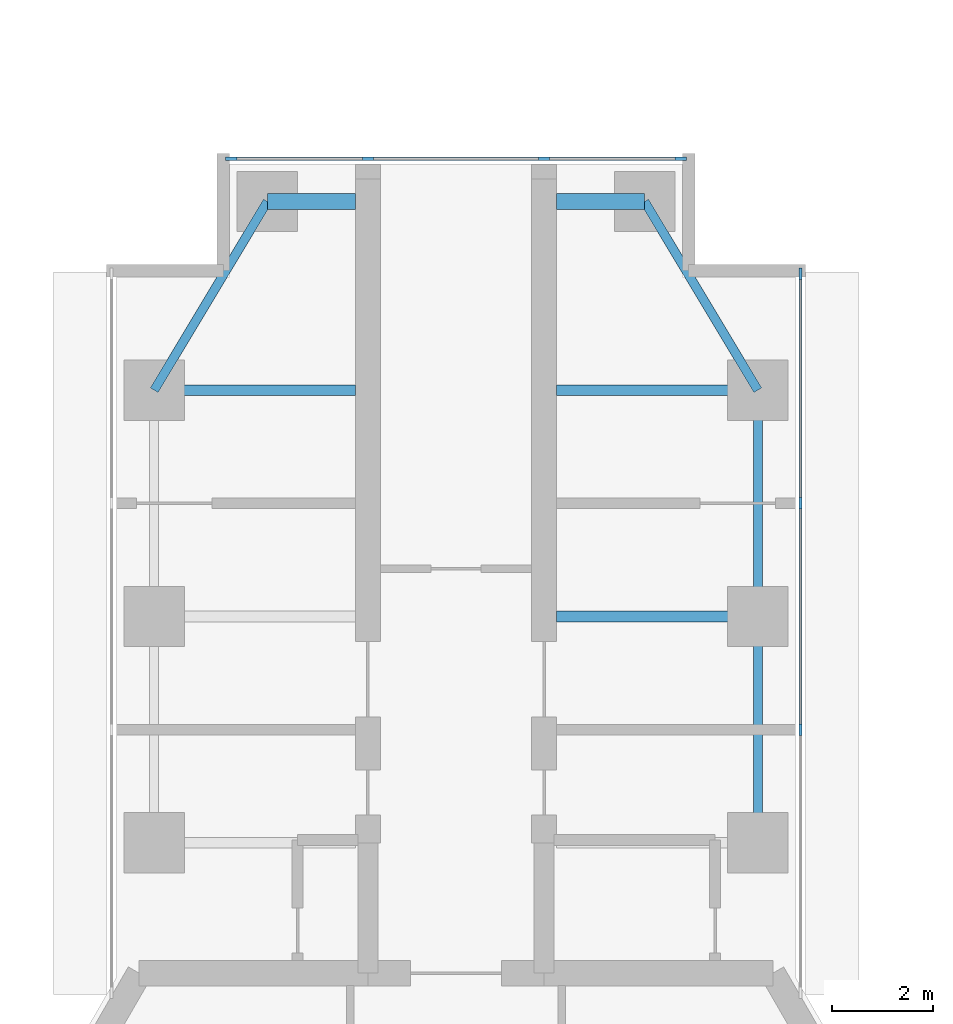
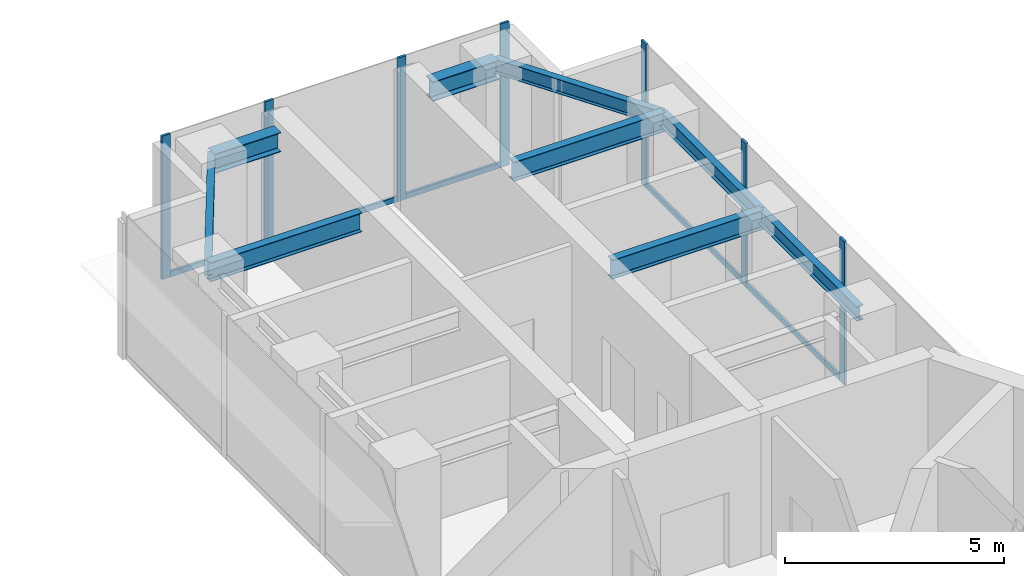
# One storey, part 9 of 17: 12 members, 9 beams, 2 elements without a shape of their own.
"""IFC4 building model written with IfcOpenShell, lengths in metres."""

import ifcopenshell
import ifcopenshell.guid

model = None  # the IFC model being written
_history = None  # IfcOwnerHistory: only IFC2X3 demands one
_inside = {}  # id of a spatial element -> (the spatial element, [elements in it])
_under = {}  # id of a project, library or spatial element -> (it, [spatial elements below it])
_declared = {}  # id of a project -> (the project, [libraries it declares])
_typed = {}  # id of a type object -> (the type object, [elements of that type])
_made_of = {}  # id of a material, layer set ... -> (it, [elements and type objects made of it])


def new_model(schema):
    """Start an empty IFC model of exactly this schema.

    Asked for "IFC4X3", IfcOpenShell would pick the latest addendum, in which some entities
    have other attributes; the version numbers below select the first issue.
    IFC2X3 requires an IfcOwnerHistory on every rooted entity: one is made here for all.
    """
    global model, _history
    if schema == "IFC4X3":
        model = ifcopenshell.file(schema_version=(4, 3, 0, 0))
    else:
        model = ifcopenshell.file(schema=schema)
    _inside.clear()
    _under.clear()
    _declared.clear()
    _typed.clear()
    _made_of.clear()
    _history = None
    if model.schema == "IFC2X3":
        org = make("IfcOrganization", Name="unknown")
        user = make(
            "IfcPersonAndOrganization",
            ThePerson=make("IfcPerson", FamilyName="unknown"),
            TheOrganization=org,
        )
        app = make(
            "IfcApplication",
            ApplicationDeveloper=org,
            Version="unknown",
            ApplicationFullName="unknown",
            ApplicationIdentifier="unknown",
        )
        _history = make(
            "IfcOwnerHistory",
            OwningUser=user,
            OwningApplication=app,
            ChangeAction="ADDED",
            CreationDate=0,
        )
    return model


def make(cls, **values):
    """One entity of the class cls with the attributes given. An attribute that is None is left unset."""
    return model.create_entity(
        cls, **{name: value for name, value in values.items() if value is not None}
    )


def rooted(cls, **values):
    """An entity with a GlobalId (a new one), such as an element, a storey or a relation."""
    return make(cls, GlobalId=ifcopenshell.guid.new(), OwnerHistory=_history, **values)


def si_unit(unit_type, name, prefix=None):
    """IfcSIUnit, for example si_unit("LENGTHUNIT", "METRE", prefix="MILLI")."""
    return make("IfcSIUnit", UnitType=unit_type, Prefix=prefix, Name=name)


def assignment(units):
    """IfcUnitAssignment: the units of a project."""
    return None if units is None else make("IfcUnitAssignment", Units=units)


def point(xyz):
    """IfcCartesianPoint."""
    return None if xyz is None else make("IfcCartesianPoint", Coordinates=xyz)


def direction(xyz):
    """IfcDirection."""
    return None if xyz is None else make("IfcDirection", DirectionRatios=xyz)


def frame(location, z_axis=None, x_axis=None):
    """IfcAxis2Placement3D, a coordinate frame: its origin and axes. An axis left out is left unset."""
    return make(
        "IfcAxis2Placement3D",
        Location=point(location),
        Axis=direction(z_axis),
        RefDirection=direction(x_axis),
    )


def frame_2d(location, x_axis=None):
    """IfcAxis2Placement2D, a coordinate frame in the plane: its origin and x axis."""
    return make(
        "IfcAxis2Placement2D", Location=point(location), RefDirection=direction(x_axis)
    )


def origin():
    """The frame at (0, 0, 0) with its axes left unset."""
    return frame((0.0, 0.0, 0.0))


def origin_2d():
    """The frame at (0, 0) in the plane with its x axis left unset."""
    return frame_2d((0.0, 0.0))


def place(relative_to, where):
    """IfcLocalPlacement: puts the frame where relative to a parent placement (None: the world)."""
    return make(
        "IfcLocalPlacement", PlacementRelTo=relative_to, RelativePlacement=where
    )


def context(
    kind, dimensions, precision=None, world=None, true_north=None, identifier=None
):
    """IfcGeometricRepresentationContext, for example the 3D "Model" context."""
    return make(
        "IfcGeometricRepresentationContext",
        ContextIdentifier=identifier,
        ContextType=kind,
        CoordinateSpaceDimension=dimensions,
        Precision=precision,
        WorldCoordinateSystem=world,
        TrueNorth=true_north,
    )


def subcontext(parent, identifier, kind, view, scale=None):
    """IfcGeometricRepresentationSubContext, for example "Body" below "Model"."""
    return make(
        "IfcGeometricRepresentationSubContext",
        ContextIdentifier=identifier,
        ContextType=kind,
        ParentContext=parent,
        TargetScale=scale,
        TargetView=view,
    )


def project(units=None, contexts=None):
    """IfcProject with its units and contexts."""
    return rooted(
        "IfcProject",
        Name="project",
        RepresentationContexts=contexts,
        UnitsInContext=assignment(units),
    )


def spatial(cls, under=None, at=None, **own):
    """A site, building, storey or space (cls), placed at a placement, below another one or the project."""
    s = rooted(cls, ObjectPlacement=at, **own)
    if under is not None:
        _under.setdefault(under.id(), (under, []))[1].append(s)
    return s


def profile(cls, at=None, kind="AREA", **sizes):
    """A parametric profile (cls). Its sizes go by their IFC names, for example OverallWidth=200.0."""
    return make(cls, ProfileType=kind, Position=at, **sizes)


def rectangle(**sizes):
    """IfcRectangleProfileDef."""
    return profile("IfcRectangleProfileDef", **sizes)


def i_section(**sizes):
    """IfcIShapeProfileDef."""
    return profile("IfcIShapeProfileDef", **sizes)


def extrude(swept, where, along, depth):
    """IfcExtrudedAreaSolid: the profile swept, set in the frame where, extruded along a direction by depth."""
    return make(
        "IfcExtrudedAreaSolid",
        SweptArea=swept,
        Position=where,
        ExtrudedDirection=direction(along),
        Depth=depth,
    )


def shape(context_of_items, identifier, shape_type, items):
    """IfcShapeRepresentation: the items that make up one representation, for example the "Body"."""
    return make(
        "IfcShapeRepresentation",
        ContextOfItems=context_of_items,
        RepresentationIdentifier=identifier,
        RepresentationType=shape_type,
        Items=items,
    )


def material(Name=None, Category=None):
    """IfcMaterial."""
    return make("IfcMaterial", Name=Name, Category=Category)


def material_profile(
    of_material, cross_section, Name=None, Category=None, Priority=None
):
    """IfcMaterialProfile: a cross section and its material."""
    return make(
        "IfcMaterialProfile",
        Name=Name,
        Material=of_material,
        Profile=cross_section,
        Priority=Priority,
        Category=Category,
    )


def profile_set(profiles, Name=None, composite=None):
    """IfcMaterialProfileSet."""
    return make(
        "IfcMaterialProfileSet",
        Name=Name,
        MaterialProfiles=profiles,
        CompositeProfile=composite,
    )


def made_of(thing, what):
    """Note that an element or type object is made of a material, layer set ...; save() writes the relation."""
    if what is not None:
        _made_of.setdefault(what.id(), (what, []))[1].append(thing)
    return thing


def type_object(cls, material=None, **own):
    """A type object (cls), such as IfcWallType, which elements share."""
    return made_of(rooted(cls, **own), material)


def element(
    cls,
    number,
    at=None,
    inside=None,
    cuts=None,
    type_object=None,
    material=None,
    context=None,
    identifier="Body",
    shape_type=None,
    held_by="IfcProductDefinitionShape",
    body=None,
    shapes=None,
    **own,
):
    """One element of the class cls, such as IfcWall. Its Tag is "e" and its number.

    at: its placement. inside: the storey or other place that contains it. cuts: it is an
    opening in that element (IfcRelVoidsElement). A single representation is given by context,
    identifier, shape_type and body (its items); several are given by shapes. held_by: the class
    of the entity that holds the representations. save() writes the other relations.
    """
    e = rooted(cls, Tag="e%d" % number, ObjectPlacement=at, **own)
    if body is not None:
        shapes = [shape(context, identifier, shape_type, body)]
    if shapes is not None:
        e.Representation = make(held_by, Representations=shapes)
    if inside is not None:
        _inside.setdefault(inside.id(), (inside, []))[1].append(e)
    if cuts is not None:
        rooted(
            "IfcRelVoidsElement", RelatingBuildingElement=cuts, RelatedOpeningElement=e
        )
    if type_object is not None:
        _typed.setdefault(type_object.id(), (type_object, []))[1].append(e)
    return made_of(e, material)


def aggregate(whole, parts):
    """IfcRelAggregates: a whole, such as a stair, and the parts it consists of."""
    return rooted("IfcRelAggregates", RelatingObject=whole, RelatedObjects=parts)


def save(model, path):
    """Write the relations noted so far, then the file.

    IfcRelAggregates (storeys below a building ...), IfcRelContainedInSpatialStructure (elements
    in a storey), IfcRelDefinesByType, IfcRelAssociatesMaterial and IfcRelDeclares: one each for
    every whole, place, type object, material and project.
    """
    for whole, parts in _under.values():
        aggregate(whole, parts)
    for where, things in _inside.values():
        rooted(
            "IfcRelContainedInSpatialStructure",
            RelatedElements=things,
            RelatingStructure=where,
        )
    for kind, things in _typed.values():
        rooted("IfcRelDefinesByType", RelatedObjects=things, RelatingType=kind)
    for what, things in _made_of.values():
        rooted("IfcRelAssociatesMaterial", RelatedObjects=things, RelatingMaterial=what)
    for by, libraries in _declared.values():
        rooted("IfcRelDeclares", RelatingContext=by, RelatedDefinitions=libraries)
    model.write(path)


model = new_model("IFC4")

# Units and contexts
model_context = context("Model", 3, precision=1e-05, world=origin(), true_north=direction((0.0, 1.0)))
body_context = subcontext(model_context, "Body", "Model", "MODEL_VIEW")
ifc_project = project(units=[si_unit("LENGTHUNIT", "METRE"), si_unit("AREAUNIT", "SQUARE_METRE"), si_unit("VOLUMEUNIT", "CUBIC_METRE"), si_unit("PLANEANGLEUNIT", "RADIAN"), si_unit("MASSUNIT", "GRAM", prefix="KILO")], contexts=[model_context])

# Site, building, storey
site_placement = place(None, origin())
site = spatial("IfcSite", under=ifc_project, at=site_placement, CompositionType="ELEMENT")
building_placement = place(site_placement, origin())
building = spatial("IfcBuilding", under=site, at=building_placement, Name="Upepo Twin Towers", CompositionType="ELEMENT")
storey_placement = place(building_placement, frame((0.0, 0.0, 186.5)))
storey = spatial("IfcBuildingStorey", under=building, at=storey_placement, Name="L45", CompositionType="ELEMENT", Elevation=186.5)

# Beams
ifc_material_1 = material(Name="Steel S355", Category="steel")
ifc_material_profile_1 = material_profile(ifc_material_1, i_section(OverallWidth=0.177978515625, OverallDepth=0.406494140625, WebThickness=0.0078125, FlangeThickness=0.0126953125, FilletRadius=0.01025390625, at=origin_2d()), Name="UB 406x178x60")
ifc_profile_set_1 = profile_set([ifc_material_profile_1], Name="Steel S355")
beam_type_1 = type_object("IfcBeamType", Name="Beam UB 406x178x60", PredefinedType="BEAM", material=ifc_profile_set_1)
beam_1_placement = place(storey_placement, frame((52.5, 4.5, 3.5966796875), z_axis=(0.514495755428, 0.857492925713, 0.0), x_axis=(-0.857492925713, 0.514495755428, 0.0)))
element("IfcBeam", 1, at=beam_1_placement, inside=storey, type_object=beam_type_1, Name="T2 nose edge beam AL", PredefinedType="BEAM", context=body_context, shape_type="SweptSolid", body=[
    extrude(i_section(OverallWidth=0.177978515625, OverallDepth=0.406494140625, WebThickness=0.0078125, FlangeThickness=0.0126953125, FilletRadius=0.01025390625, at=origin_2d()), origin(), (0.0, 0.0, 1.0), 4.373291015625),
])
for number, where, z_axis, x_axis, name in (
    (2, (64.5, -4.5, 3.5966796875), (0.0, 1.0, 0.0), (-1.0, 0.0, 0.0), "T2 edge beam AR 13.5-18.0"),
    (3, (64.5, 0.0, 3.5966796875), (0.0, 1.0, 0.0), (-1.0, 0.0, 0.0), "T2 edge beam AR 18.0-22.5"),
):
    element("IfcBeam", number, at=place(storey_placement, frame(where, z_axis=z_axis, x_axis=x_axis)), inside=storey, type_object=beam_type_1, Name=name, PredefinedType="BEAM", context=body_context, shape_type="SweptSolid", body=[
        extrude(i_section(OverallWidth=0.177978515625, OverallDepth=0.406494140625, WebThickness=0.0078125, FlangeThickness=0.0126953125, FilletRadius=0.01025390625, at=origin_2d()), origin(), (0.0, 0.0, 1.0), 4.5),
    ])
beam_2_placement = place(storey_placement, frame((64.5, 4.5, 3.5966796875), z_axis=(-0.514495755428, 0.857492925713, 0.0), x_axis=(-0.857492925713, -0.514495755428, 0.0)))
element("IfcBeam", 4, at=beam_2_placement, inside=storey, type_object=beam_type_1, Name="T2 nose edge beam AR", PredefinedType="BEAM", context=body_context, shape_type="SweptSolid", body=[
    extrude(i_section(OverallWidth=0.177978515625, OverallDepth=0.406494140625, WebThickness=0.0078125, FlangeThickness=0.0126953125, FilletRadius=0.01025390625, at=origin_2d()), origin(), (0.0, 0.0, 1.0), 4.373291015625),
])
ifc_material_2 = material(Name="Steel S355", Category="steel")
ifc_material_profile_2 = material_profile(ifc_material_2, i_section(OverallWidth=0.209228515625, OverallDepth=0.533203125, WebThickness=0.010009765625, FlangeThickness=0.015625, FilletRadius=0.0126953125, at=origin_2d()), Name="UB 533x210x92")
ifc_profile_set_2 = profile_set([ifc_material_profile_2], Name="Steel S355")
beam_type_2 = type_object("IfcBeamType", Name="Beam UB 533x210x92", PredefinedType="BEAM", material=ifc_profile_set_2)
for number, where, z_axis, x_axis, name in (
    (5, (52.5, 4.5, 3.533447265625), (1.0, 0.0, 0.0), (0.0, 1.0, 0.0), "T2 girder AL at 22.5"),
    (6, (64.5, 0.0, 3.533447265625), (-1.0, 0.0, 0.0), (0.0, -1.0, 0.0), "T2 girder AR at 18.0"),
    (7, (64.5, 4.5, 3.533447265625), (-1.0, 0.0, 0.0), (0.0, -1.0, 0.0), "T2 girder AR at 22.5"),
):
    element("IfcBeam", number, at=place(storey_placement, frame(where, z_axis=z_axis, x_axis=x_axis)), inside=storey, type_object=beam_type_2, Name=name, PredefinedType="BEAM", context=body_context, shape_type="SweptSolid", body=[
        extrude(i_section(OverallWidth=0.209228515625, OverallDepth=0.533203125, WebThickness=0.010009765625, FlangeThickness=0.015625, FilletRadius=0.0126953125, at=origin_2d()), origin(), (0.0, 0.0, 1.0), 4.0),
    ])
ifc_material_3 = material(Name="Steel S355", Category="steel")
ifc_material_profile_3 = material_profile(ifc_material_3, i_section(OverallWidth=0.31201171875, OverallDepth=0.54345703125, WebThickness=0.0126953125, FlangeThickness=0.020263671875, FilletRadius=0.0126953125, at=origin_2d()), Name="UB 533x312x150")
ifc_profile_set_3 = profile_set([ifc_material_profile_3], Name="Steel S355")
beam_type_3 = type_object("IfcBeamType", Name="Beam UB 533x312x150", PredefinedType="BEAM", material=ifc_profile_set_3)
for number, where, z_axis, x_axis, name in (
    (8, (54.75, 8.25, 3.5283203125), (1.0, 0.0, 0.0), (0.0, 1.0, 0.0), "T2 nose beam AL"),
    (9, (62.25, 8.25, 3.5283203125), (-1.0, 0.0, 0.0), (0.0, -1.0, 0.0), "T2 nose beam AR"),
):
    element("IfcBeam", number, at=place(storey_placement, frame(where, z_axis=z_axis, x_axis=x_axis)), inside=storey, type_object=beam_type_3, Name=name, PredefinedType="BEAM", context=body_context, shape_type="SweptSolid", body=[
        extrude(i_section(OverallWidth=0.31201171875, OverallDepth=0.54345703125, WebThickness=0.0126953125, FlangeThickness=0.020263671875, FilletRadius=0.0126953125, at=origin_2d()), origin(), (0.0, 0.0, 1.0), 1.75),
    ])

# Curtain wall, members
ifc_material_4 = material(Name="Aluminium and fritted glass", Category="aluminium")
curtain_wall_type = type_object("IfcCurtainWallType", Name="Tower curtain wall TW3, fritted glass", PredefinedType="NOTDEFINED", material=ifc_material_4)
curtain_wall_1_placement = place(storey_placement, origin())
curtain_wall_1 = element("IfcCurtainWall", 10, at=curtain_wall_1_placement, inside=storey, type_object=curtain_wall_type, Name="T2 L45 wing A flank R curtain wall", PredefinedType="NOTDEFINED")
ifc_material_5 = material(Name="Aluminium mullion", Category="aluminium")
ifc_material_profile_4 = material_profile(ifc_material_5, rectangle(XDim=0.06494140625, YDim=0.22509765625, at=origin_2d()), Name="MULLION 65x225")
ifc_profile_set_4 = profile_set([ifc_material_profile_4], Name="Aluminium mullion")
member_type_1 = type_object("IfcMemberType", Name="Mullion 65x225 TW3", PredefinedType="MULLION", material=ifc_profile_set_4)
member_1_placement = place(storey_placement, frame((65.35009765625, 6.8173828125, 0.0), z_axis=(0.0, 0.0, 1.0), x_axis=(1.0, 0.0, 0.0)))
member_1 = element("IfcMember", 11, at=member_1_placement, type_object=member_type_1, Name="T2 L45 wing A flank R curtain wall mullion 1", PredefinedType="MULLION", context=body_context, shape_type="SweptSolid", body=[
    extrude(rectangle(XDim=0.06494140625, YDim=0.22509765625, at=origin_2d()), origin(), (0.0, 0.0, 1.0), 4.0),
])
member_2_placement = place(storey_placement, frame((65.35009765625, 2.25, 0.0), z_axis=(0.0, 0.0, 1.0), x_axis=(1.0, 0.0, 0.0)))
member_2 = element("IfcMember", 12, at=member_2_placement, type_object=member_type_1, Name="T2 L45 wing A flank R curtain wall mullion 2", PredefinedType="MULLION", context=body_context, shape_type="SweptSolid", body=[
    extrude(rectangle(XDim=0.06494140625, YDim=0.22509765625, at=origin_2d()), origin(), (0.0, 0.0, 1.0), 4.0),
])
member_3_placement = place(storey_placement, frame((65.35009765625, -2.25, 0.0), z_axis=(0.0, 0.0, 1.0), x_axis=(1.0, 0.0, 0.0)))
member_3 = element("IfcMember", 13, at=member_3_placement, type_object=member_type_1, Name="T2 L45 wing A flank R curtain wall mullion 3", PredefinedType="MULLION", context=body_context, shape_type="SweptSolid", body=[
    extrude(rectangle(XDim=0.06494140625, YDim=0.22509765625, at=origin_2d()), origin(), (0.0, 0.0, 1.0), 4.0),
])

curtain_wall_2_placement = place(storey_placement, origin())
curtain_wall_2 = element("IfcCurtainWall", 14, at=curtain_wall_2_placement, inside=storey, type_object=curtain_wall_type, Name="T2 L45 wing A nose curtain wall", PredefinedType="NOTDEFINED")
member_4_placement = place(storey_placement, frame((62.967529296875, 9.10009765625, 0.0), z_axis=(0.0, 0.0, 1.0), x_axis=(0.0, -1.0, 0.0)))
member_4 = element("IfcMember", 15, at=member_4_placement, type_object=member_type_1, Name="T2 L45 wing A nose curtain wall mullion 1", PredefinedType="MULLION", context=body_context, shape_type="SweptSolid", body=[
    extrude(rectangle(XDim=0.06494140625, YDim=0.22509765625, at=origin_2d()), origin(), (0.0, 0.0, 1.0), 4.0),
])
member_5_placement = place(storey_placement, frame((60.25, 9.10009765625, 0.0), z_axis=(0.0, 0.0, 1.0), x_axis=(0.0, -1.0, 0.0)))
member_5 = element("IfcMember", 16, at=member_5_placement, type_object=member_type_1, Name="T2 L45 wing A nose curtain wall mullion 2", PredefinedType="MULLION", context=body_context, shape_type="SweptSolid", body=[
    extrude(rectangle(XDim=0.06494140625, YDim=0.22509765625, at=origin_2d()), origin(), (0.0, 0.0, 1.0), 4.0),
])
member_6_placement = place(storey_placement, frame((56.75, 9.10009765625, 0.0), z_axis=(0.0, 0.0, 1.0), x_axis=(0.0, -1.0, 0.0)))
member_6 = element("IfcMember", 17, at=member_6_placement, type_object=member_type_1, Name="T2 L45 wing A nose curtain wall mullion 3", PredefinedType="MULLION", context=body_context, shape_type="SweptSolid", body=[
    extrude(rectangle(XDim=0.06494140625, YDim=0.22509765625, at=origin_2d()), origin(), (0.0, 0.0, 1.0), 4.0),
])
member_7_placement = place(storey_placement, frame((54.032470703125, 9.10009765625, 0.0), z_axis=(0.0, 0.0, 1.0), x_axis=(0.0, -1.0, 0.0)))
member_7 = element("IfcMember", 18, at=member_7_placement, type_object=member_type_1, Name="T2 L45 wing A nose curtain wall mullion 4", PredefinedType="MULLION", context=body_context, shape_type="SweptSolid", body=[
    extrude(rectangle(XDim=0.06494140625, YDim=0.22509765625, at=origin_2d()), origin(), (0.0, 0.0, 1.0), 4.0),
])

# Member
ifc_material_6 = material(Name="Aluminium transom", Category="aluminium")
ifc_material_profile_5 = material_profile(ifc_material_6, rectangle(XDim=0.06494140625, YDim=0.14990234375, at=origin_2d()), Name="TRANSOM 65x150")
ifc_profile_set_5 = profile_set([ifc_material_profile_5], Name="Aluminium transom")
member_type_2 = type_object("IfcMemberType", Name="Transom 65x150 TW3", PredefinedType="USERDEFINED", material=ifc_profile_set_5)
member_8_placement = place(storey_placement, frame((65.35009765625, 6.784912109375, 0.074951171875), z_axis=(0.0, -1.0, 0.0), x_axis=(1.0, 0.0, 0.0)))
member_8 = element("IfcMember", 19, at=member_8_placement, type_object=member_type_2, Name="T2 L45 wing A flank R curtain wall transom 1", ObjectType="TRANSOM", PredefinedType="USERDEFINED", context=body_context, shape_type="SweptSolid", body=[
    extrude(rectangle(XDim=0.06494140625, YDim=0.14990234375, at=origin_2d()), origin(), (0.0, 0.0, 1.0), 4.50244140625),
])

member_9_placement = place(storey_placement, frame((65.35009765625, 2.217529296875, 0.074951171875), z_axis=(0.0, -1.0, 0.0), x_axis=(1.0, 0.0, 0.0)))
member_9 = element("IfcMember", 20, at=member_9_placement, type_object=member_type_2, Name="T2 L45 wing A flank R curtain wall transom 2", ObjectType="TRANSOM", PredefinedType="USERDEFINED", context=body_context, shape_type="SweptSolid", body=[
    extrude(rectangle(XDim=0.06494140625, YDim=0.14990234375, at=origin_2d()), origin(), (0.0, 0.0, 1.0), 4.43505859375),
])

aggregate(curtain_wall_1, [member_1, member_2, member_3, member_8, member_9])

member_10_placement = place(storey_placement, frame((62.93505859375, 9.10009765625, 0.074951171875), z_axis=(-1.0, 0.0, 0.0), x_axis=(0.0, -1.0, 0.0)))
member_10 = element("IfcMember", 21, at=member_10_placement, type_object=member_type_2, Name="T2 L45 wing A nose curtain wall transom 1", ObjectType="TRANSOM", PredefinedType="USERDEFINED", context=body_context, shape_type="SweptSolid", body=[
    extrude(rectangle(XDim=0.06494140625, YDim=0.14990234375, at=origin_2d()), origin(), (0.0, 0.0, 1.0), 2.652587890625),
])

member_11_placement = place(storey_placement, frame((60.217529296875, 9.10009765625, 0.074951171875), z_axis=(-1.0, 0.0, 0.0), x_axis=(0.0, -1.0, 0.0)))
member_11 = element("IfcMember", 22, at=member_11_placement, type_object=member_type_2, Name="T2 L45 wing A nose curtain wall transom 2", ObjectType="TRANSOM", PredefinedType="USERDEFINED", context=body_context, shape_type="SweptSolid", body=[
    extrude(rectangle(XDim=0.06494140625, YDim=0.14990234375, at=origin_2d()), origin(), (0.0, 0.0, 1.0), 3.43505859375),
])

member_12_placement = place(storey_placement, frame((56.717529296875, 9.10009765625, 0.074951171875), z_axis=(-1.0, 0.0, 0.0), x_axis=(0.0, -1.0, 0.0)))
member_12 = element("IfcMember", 23, at=member_12_placement, type_object=member_type_2, Name="T2 L45 wing A nose curtain wall transom 3", ObjectType="TRANSOM", PredefinedType="USERDEFINED", context=body_context, shape_type="SweptSolid", body=[
    extrude(rectangle(XDim=0.06494140625, YDim=0.14990234375, at=origin_2d()), origin(), (0.0, 0.0, 1.0), 2.652587890625),
])

aggregate(curtain_wall_2, [member_4, member_5, member_6, member_7, member_10, member_11, member_12])

save(model, "model.ifc")
